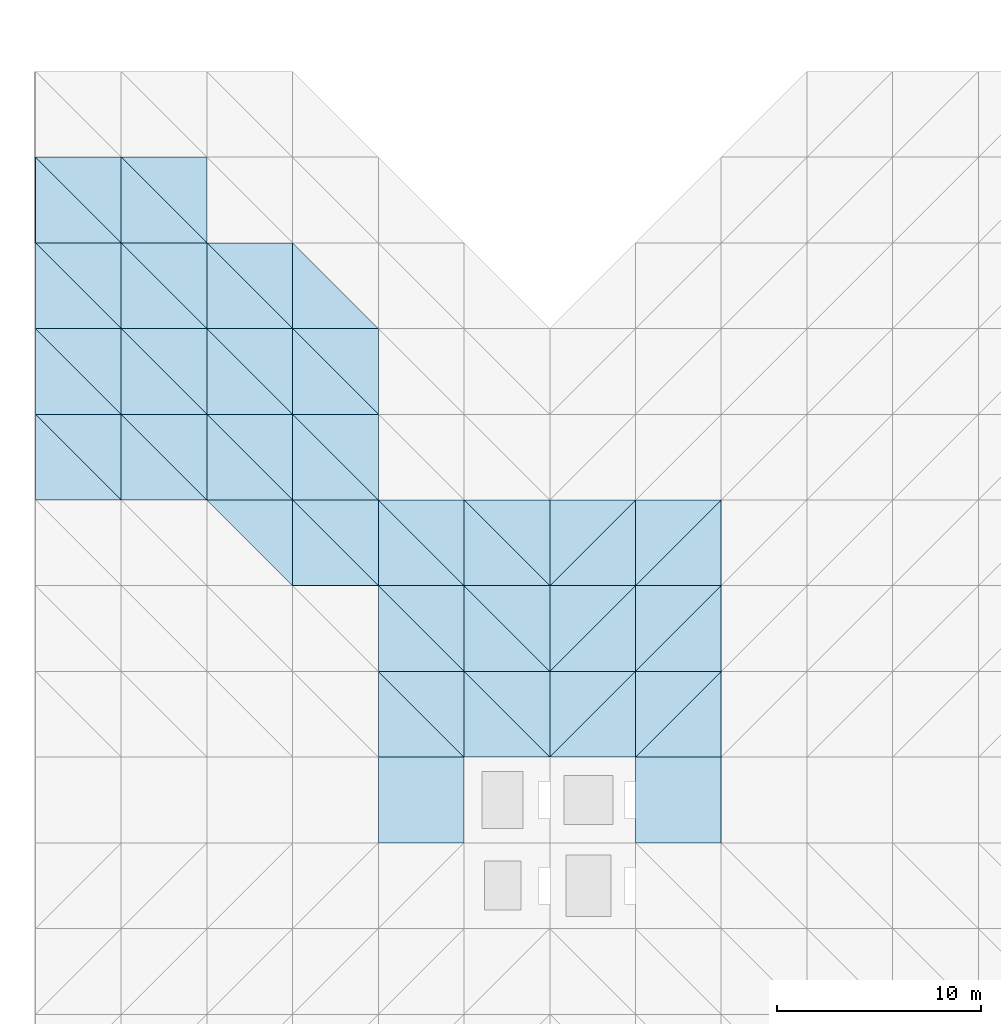
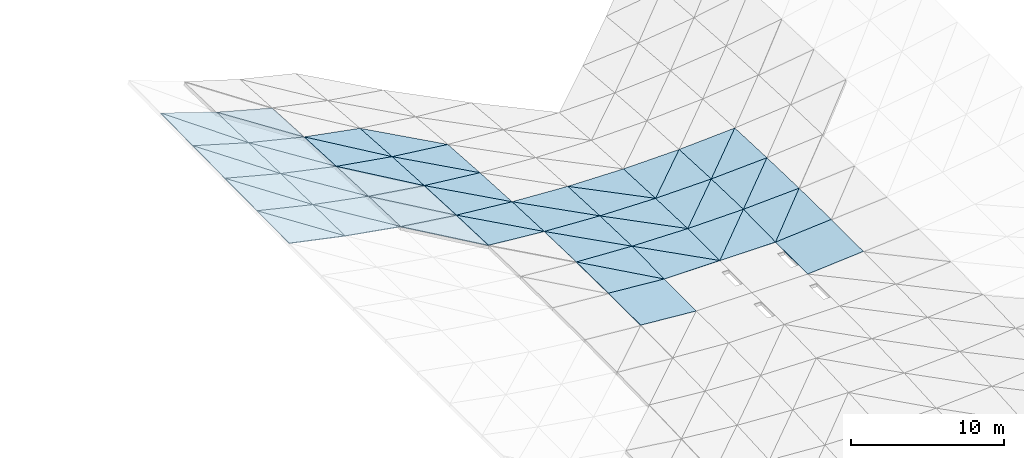
# One storey, part 22 of 31: 56 roofs.
"""IFC4 building model written with IfcOpenShell, lengths in metres."""

import ifcopenshell
import ifcopenshell.guid

model = None  # the IFC model being written
_history = None  # IfcOwnerHistory: only IFC2X3 demands one
_inside = {}  # id of a spatial element -> (the spatial element, [elements in it])
_under = {}  # id of a project, library or spatial element -> (it, [spatial elements below it])
_declared = {}  # id of a project -> (the project, [libraries it declares])
_typed = {}  # id of a type object -> (the type object, [elements of that type])
_made_of = {}  # id of a material, layer set ... -> (it, [elements and type objects made of it])


def new_model(schema):
    """Start an empty IFC model of exactly this schema.

    Asked for "IFC4X3", IfcOpenShell would pick the latest addendum, in which some entities
    have other attributes; the version numbers below select the first issue.
    IFC2X3 requires an IfcOwnerHistory on every rooted entity: one is made here for all.
    """
    global model, _history
    if schema == "IFC4X3":
        model = ifcopenshell.file(schema_version=(4, 3, 0, 0))
    else:
        model = ifcopenshell.file(schema=schema)
    _inside.clear()
    _under.clear()
    _declared.clear()
    _typed.clear()
    _made_of.clear()
    _history = None
    if model.schema == "IFC2X3":
        org = make("IfcOrganization", Name="unknown")
        user = make(
            "IfcPersonAndOrganization",
            ThePerson=make("IfcPerson", FamilyName="unknown"),
            TheOrganization=org,
        )
        app = make(
            "IfcApplication",
            ApplicationDeveloper=org,
            Version="unknown",
            ApplicationFullName="unknown",
            ApplicationIdentifier="unknown",
        )
        _history = make(
            "IfcOwnerHistory",
            OwningUser=user,
            OwningApplication=app,
            ChangeAction="ADDED",
            CreationDate=0,
        )
    return model


def make(cls, **values):
    """One entity of the class cls with the attributes given. An attribute that is None is left unset."""
    return model.create_entity(
        cls, **{name: value for name, value in values.items() if value is not None}
    )


def rooted(cls, **values):
    """An entity with a GlobalId (a new one), such as an element, a storey or a relation."""
    return make(cls, GlobalId=ifcopenshell.guid.new(), OwnerHistory=_history, **values)


def si_unit(unit_type, name, prefix=None):
    """IfcSIUnit, for example si_unit("LENGTHUNIT", "METRE", prefix="MILLI")."""
    return make("IfcSIUnit", UnitType=unit_type, Prefix=prefix, Name=name)


def assignment(units):
    """IfcUnitAssignment: the units of a project."""
    return None if units is None else make("IfcUnitAssignment", Units=units)


def point(xyz):
    """IfcCartesianPoint."""
    return None if xyz is None else make("IfcCartesianPoint", Coordinates=xyz)


def direction(xyz):
    """IfcDirection."""
    return None if xyz is None else make("IfcDirection", DirectionRatios=xyz)


def frame(location, z_axis=None, x_axis=None):
    """IfcAxis2Placement3D, a coordinate frame: its origin and axes. An axis left out is left unset."""
    return make(
        "IfcAxis2Placement3D",
        Location=point(location),
        Axis=direction(z_axis),
        RefDirection=direction(x_axis),
    )


def origin():
    """The frame at (0, 0, 0) with its axes left unset."""
    return frame((0.0, 0.0, 0.0))


def place(relative_to, where):
    """IfcLocalPlacement: puts the frame where relative to a parent placement (None: the world)."""
    return make(
        "IfcLocalPlacement", PlacementRelTo=relative_to, RelativePlacement=where
    )


def context(
    kind, dimensions, precision=None, world=None, true_north=None, identifier=None
):
    """IfcGeometricRepresentationContext, for example the 3D "Model" context."""
    return make(
        "IfcGeometricRepresentationContext",
        ContextIdentifier=identifier,
        ContextType=kind,
        CoordinateSpaceDimension=dimensions,
        Precision=precision,
        WorldCoordinateSystem=world,
        TrueNorth=true_north,
    )


def subcontext(parent, identifier, kind, view, scale=None):
    """IfcGeometricRepresentationSubContext, for example "Body" below "Model"."""
    return make(
        "IfcGeometricRepresentationSubContext",
        ContextIdentifier=identifier,
        ContextType=kind,
        ParentContext=parent,
        TargetScale=scale,
        TargetView=view,
    )


def project(units=None, contexts=None):
    """IfcProject with its units and contexts."""
    return rooted(
        "IfcProject",
        Name="project",
        RepresentationContexts=contexts,
        UnitsInContext=assignment(units),
    )


def spatial(cls, under=None, at=None, **own):
    """A site, building, storey or space (cls), placed at a placement, below another one or the project."""
    s = rooted(cls, ObjectPlacement=at, **own)
    if under is not None:
        _under.setdefault(under.id(), (under, []))[1].append(s)
    return s


def polyline(points):
    """IfcPolyline through the points."""
    return make("IfcPolyline", Points=[point(p) for p in points])


def outline(outer, holes=None, kind="AREA"):
    """IfcArbitraryClosedProfileDef: a profile drawn as a closed curve; with holes, ...WithVoids."""
    if holes is None:
        return make("IfcArbitraryClosedProfileDef", ProfileType=kind, OuterCurve=outer)
    return make(
        "IfcArbitraryProfileDefWithVoids",
        ProfileType=kind,
        OuterCurve=outer,
        InnerCurves=holes,
    )


def extrude(swept, where, along, depth):
    """IfcExtrudedAreaSolid: the profile swept, set in the frame where, extruded along a direction by depth."""
    return make(
        "IfcExtrudedAreaSolid",
        SweptArea=swept,
        Position=where,
        ExtrudedDirection=direction(along),
        Depth=depth,
    )


def shape(context_of_items, identifier, shape_type, items):
    """IfcShapeRepresentation: the items that make up one representation, for example the "Body"."""
    return make(
        "IfcShapeRepresentation",
        ContextOfItems=context_of_items,
        RepresentationIdentifier=identifier,
        RepresentationType=shape_type,
        Items=items,
    )


def material(Name=None, Category=None):
    """IfcMaterial."""
    return make("IfcMaterial", Name=Name, Category=Category)


def layer(
    of_material, thickness, ventilated=None, Name=None, Category=None, Priority=None
):
    """IfcMaterialLayer: one layer of a wall or slab, of a material (None: an air gap)."""
    return make(
        "IfcMaterialLayer",
        Material=of_material,
        LayerThickness=thickness,
        IsVentilated=ventilated,
        Name=Name,
        Category=Category,
        Priority=Priority,
    )


def layer_set(layers, Name=None):
    """IfcMaterialLayerSet."""
    return make("IfcMaterialLayerSet", MaterialLayers=layers, LayerSetName=Name)


def made_of(thing, what):
    """Note that an element or type object is made of a material, layer set ...; save() writes the relation."""
    if what is not None:
        _made_of.setdefault(what.id(), (what, []))[1].append(thing)
    return thing


def type_object(cls, material=None, **own):
    """A type object (cls), such as IfcWallType, which elements share."""
    return made_of(rooted(cls, **own), material)


def element(
    cls,
    number,
    at=None,
    inside=None,
    cuts=None,
    type_object=None,
    material=None,
    context=None,
    identifier="Body",
    shape_type=None,
    held_by="IfcProductDefinitionShape",
    body=None,
    shapes=None,
    **own,
):
    """One element of the class cls, such as IfcWall. Its Tag is "e" and its number.

    at: its placement. inside: the storey or other place that contains it. cuts: it is an
    opening in that element (IfcRelVoidsElement). A single representation is given by context,
    identifier, shape_type and body (its items); several are given by shapes. held_by: the class
    of the entity that holds the representations. save() writes the other relations.
    """
    e = rooted(cls, Tag="e%d" % number, ObjectPlacement=at, **own)
    if body is not None:
        shapes = [shape(context, identifier, shape_type, body)]
    if shapes is not None:
        e.Representation = make(held_by, Representations=shapes)
    if inside is not None:
        _inside.setdefault(inside.id(), (inside, []))[1].append(e)
    if cuts is not None:
        rooted(
            "IfcRelVoidsElement", RelatingBuildingElement=cuts, RelatedOpeningElement=e
        )
    if type_object is not None:
        _typed.setdefault(type_object.id(), (type_object, []))[1].append(e)
    return made_of(e, material)


def aggregate(whole, parts):
    """IfcRelAggregates: a whole, such as a stair, and the parts it consists of."""
    return rooted("IfcRelAggregates", RelatingObject=whole, RelatedObjects=parts)


def save(model, path):
    """Write the relations noted so far, then the file.

    IfcRelAggregates (storeys below a building ...), IfcRelContainedInSpatialStructure (elements
    in a storey), IfcRelDefinesByType, IfcRelAssociatesMaterial and IfcRelDeclares: one each for
    every whole, place, type object, material and project.
    """
    for whole, parts in _under.values():
        aggregate(whole, parts)
    for where, things in _inside.values():
        rooted(
            "IfcRelContainedInSpatialStructure",
            RelatedElements=things,
            RelatingStructure=where,
        )
    for kind, things in _typed.values():
        rooted("IfcRelDefinesByType", RelatedObjects=things, RelatingType=kind)
    for what, things in _made_of.values():
        rooted("IfcRelAssociatesMaterial", RelatedObjects=things, RelatingMaterial=what)
    for by, libraries in _declared.values():
        rooted("IfcRelDeclares", RelatingContext=by, RelatedDefinitions=libraries)
    model.write(path)


model = new_model("IFC4")

# Units and contexts
model_context = context("Model", 3, precision=1e-05, world=origin(), true_north=direction((0.0, 1.0)))
body_context = subcontext(model_context, "Body", "Model", "MODEL_VIEW")
ifc_project = project(units=[si_unit("LENGTHUNIT", "METRE"), si_unit("AREAUNIT", "SQUARE_METRE"), si_unit("VOLUMEUNIT", "CUBIC_METRE"), si_unit("PLANEANGLEUNIT", "RADIAN"), si_unit("MASSUNIT", "GRAM", prefix="KILO")], contexts=[model_context])

# Site, building, storey
site_placement = place(None, origin())
site = spatial("IfcSite", under=ifc_project, at=site_placement, CompositionType="ELEMENT")
building_placement = place(site_placement, origin())
building = spatial("IfcBuilding", under=site, at=building_placement, Name="Cumbredor Promenade Congress Hotel", CompositionType="ELEMENT")
storey_placement = place(building_placement, frame((0.0, 0.0, 31.919921875)))
storey = spatial("IfcBuildingStorey", under=building, at=storey_placement, Name="L09", CompositionType="ELEMENT", Elevation=31.919921875)

# Roofs
ifc_material = material(Name="Standing-seam zinc-aluminium roofing", Category="aluminium")
ifc_layer = layer(ifc_material, 0.050048828125, Name="Standing-seam zinc-aluminium roofing", Category="aluminium")
ifc_layer_set = layer_set([ifc_layer], Name="Standing-seam zinc-aluminium roofing")
roof_type = type_object("IfcRoofType", Name="Sweeping Pavilion Standing-Seam Roof Skin 50mm", PredefinedType="FREEFORM", material=ifc_layer_set)
roof_1_placement = place(storey_placement, frame((8.39990234375, 50.39990234375, 3.627197265625), z_axis=(0.206663012315, -0.008018570373, 0.978379324122), x_axis=(0.978410779297, 0.0, -0.20666965659)))
element("IfcRoof", 1, at=roof_1_placement, inside=storey, type_object=roof_type, Name="Plenary Congress Hall Standing-Seam Roof Skin 4.13.1", PredefinedType="FREEFORM", context=body_context, shape_type="SweptSolid", body=[
    extrude(outline(polyline([(0.0, 0.0), (4.29287514137628, 8.673617379884035e-19), (-0.00711436073709103, 4.2003303499797555), (0.0, 0.0)])), origin(), (0.0, 0.0, -1.0), 0.050048828125),
])
roof_2_placement = place(storey_placement, frame((12.60009765625, 50.39990234375, 2.739990234375), z_axis=(0.22698046669, 0.013301847799, 0.973808466068), x_axis=(0.0, 0.999906720525, -0.013658339882)))
element("IfcRoof", 2, at=roof_2_placement, inside=storey, type_object=roof_type, Name="Plenary Congress Hall Standing-Seam Roof Skin 4.13.2", PredefinedType="FREEFORM", context=body_context, shape_type="SweptSolid", body=[
    extrude(outline(polyline([(0.0, 0.0), (4.200587141061913, -1.734723475976807e-18), (4.187215572964913, 4.312761355879358), (0.0, 0.0)])), origin(), (0.0, 0.0, -1.0), 0.050048828125),
])
roof_3_placement = place(storey_placement, frame((8.39990234375, 54.60009765625, 3.66162109375), z_axis=(0.226989154907, -0.010019804461, 0.973845740902), x_axis=(0.973894629926, 0.0, -0.227000550221)))
element("IfcRoof", 3, at=roof_3_placement, inside=storey, type_object=roof_type, Name="Plenary Congress Hall Standing-Seam Roof Skin 4.14.1", PredefinedType="FREEFORM", context=body_context, shape_type="SweptSolid", body=[
    extrude(outline(polyline([(0.0, 0.0), (4.312782084872795, 0.0), (-0.009809349948520946, 4.200162017911208), (0.0, 0.0)])), origin(), (0.0, 0.0, -1.0), 0.050048828125),
])
roof_4_placement = place(storey_placement, frame((12.60009765625, 54.60009765625, 2.6826171875), z_axis=(0.251966322063, 0.01648000532, 0.967595670707), x_axis=(0.0, 0.999854988518, -0.017029443215)))
element("IfcRoof", 4, at=roof_4_placement, inside=storey, type_object=roof_type, Name="Plenary Congress Hall Standing-Seam Roof Skin 4.14.2", PredefinedType="FREEFORM", context=body_context, shape_type="SweptSolid", body=[
    extrude(outline(polyline([(0.0, 0.0), (4.200560301350703, -3.469446951953614e-18), (4.181934347833786, 4.340228427111016), (0.0, 0.0)])), origin(), (0.0, 0.0, -1.0), 0.050048828125),
])
roof_5_placement = place(storey_placement, frame((8.39990234375, 58.800048828125, 3.704833984375), z_axis=(0.251982626676, -0.011924871015, 0.967658283334), x_axis=(0.96772709241, 0.0, -0.252000544873)))
element("IfcRoof", 5, at=roof_5_placement, inside=storey, type_object=roof_type, Name="Plenary Congress Hall Standing-Seam Roof Skin 4.15.1", PredefinedType="FREEFORM", context=body_context, shape_type="SweptSolid", body=[
    extrude(outline(polyline([(0.0, 0.0), (4.340268393273275, -1.734723475976807e-18), (-0.01304299695143546, 4.200249825607936), (0.0, 0.0)])), origin(), (0.0, 0.0, -1.0), 0.050048828125),
])
roof_6_placement = place(storey_placement, frame((12.60009765625, 58.800048828125, 2.611083984375), z_axis=(0.281290607188, 0.019631254832, 0.95942180929), x_axis=(0.0, 0.999790728249, -0.020457265381)))
element("IfcRoof", 6, at=roof_6_placement, inside=storey, type_object=roof_type, Name="Plenary Congress Hall Standing-Seam Roof Skin 4.15.2", PredefinedType="FREEFORM", context=body_context, shape_type="SweptSolid", body=[
    extrude(outline(polyline([(0.0, 0.0), (4.200830286983805, 0.0), (4.175638283424205, 4.3769239865208815), (0.0, 0.0)])), origin(), (0.0, 0.0, -1.0), 0.050048828125),
])
roof_7_placement = place(storey_placement, frame((8.39990234375, 63.0, 3.756591796875), z_axis=(0.281318125125, -0.013776688355, 0.95951566706), x_axis=(0.95960673669, 0.0, -0.281344825614)))
element("IfcRoof", 7, at=roof_7_placement, inside=storey, type_object=roof_type, Name="Plenary Congress Hall Standing-Seam Roof Skin 4.16.1", PredefinedType="FREEFORM", context=body_context, shape_type="SweptSolid", body=[
    extrude(outline(polyline([(0.0, 0.0), (4.3769964839859306, 0.0), (-0.016965862286780188, 4.200349797983991), (0.0, 0.0)])), origin(), (0.0, 0.0, -1.0), 0.050048828125),
])
roof_8_placement = place(storey_placement, frame((12.60009765625, 63.0, 2.525146484375), z_axis=(0.314524303969, 0.02267222085, 0.948978626005), x_axis=(0.0, 0.999714727834, -0.023884366281)))
element("IfcRoof", 8, at=roof_8_placement, inside=storey, type_object=roof_type, Name="Plenary Congress Hall Standing-Seam Roof Skin 4.16.2", PredefinedType="FREEFORM", context=body_context, shape_type="SweptSolid", body=[
    extrude(outline(polyline([(0.0, 0.0), (4.201149642935168, 6.938893903907228e-18), (4.1679004592103714, 4.424754150006587), (0.0, 0.0)])), origin(), (0.0, 0.0, -1.0), 0.050048828125),
])
roof_9_placement = place(storey_placement, frame((12.60009765625, 50.39990234375, 2.739990234375), z_axis=(0.170334561544, 0.01345874084, 0.985294371971), x_axis=(0.985383621077, 0.0, -0.170349990646)))
element("IfcRoof", 9, at=roof_9_placement, inside=storey, type_object=roof_type, Name="Plenary Congress Hall Standing-Seam Roof Skin 5.13.1", PredefinedType="FREEFORM", context=body_context, shape_type="SweptSolid", body=[
    extrude(outline(polyline([(0.0, 0.0), (4.262249830461327, -1.734723475976807e-18), (0.009773497998488744, 4.200575771057055), (0.0, 0.0)])), origin(), (0.0, 0.0, -1.0), 0.050048828125),
])
roof_10_placement = place(storey_placement, frame((16.800048828125, 50.39990234375, 2.013916015625), z_axis=(0.18725598134, 0.030931680133, 0.981824031391), x_axis=(0.0, 0.999504108605, -0.031488678613)))
element("IfcRoof", 10, at=roof_10_placement, inside=storey, type_object=roof_type, Name="Plenary Congress Hall Standing-Seam Roof Skin 5.13.2", PredefinedType="FREEFORM", context=body_context, shape_type="SweptSolid", body=[
    extrude(outline(polyline([(0.0, 0.0), (4.202279186586105, 6.938893903907228e-18), (4.1770559554995765, 4.275581283424942), (0.0, 0.0)])), origin(), (0.0, 0.0, -1.0), 0.050048828125),
])
roof_11_placement = place(storey_placement, frame((12.60009765625, 54.60009765625, 2.6826171875), z_axis=(0.187319412076, 0.016728006016, 0.9821566126), x_axis=(0.982294058016, 0.0, -0.187345626016)))
element("IfcRoof", 11, at=roof_11_placement, inside=storey, type_object=roof_type, Name="Plenary Congress Hall Standing-Seam Roof Skin 5.14.1", PredefinedType="FREEFORM", context=body_context, shape_type="SweptSolid", body=[
    extrude(outline(polyline([(0.0, 0.0), (4.275655683349646, 0.0), (0.013401432720365957, 4.2005389233864445), (0.0, 0.0)])), origin(), (0.0, 0.0, -1.0), 0.050048828125),
])
roof_12_placement = place(storey_placement, frame((16.800048828125, 54.60009765625, 1.881591796875), z_axis=(0.208267739017, 0.038517601488, 0.97731312447), x_axis=(0.0, 0.999224261339, -0.039381157309)))
element("IfcRoof", 12, at=roof_12_placement, inside=storey, type_object=roof_type, Name="Plenary Congress Hall Standing-Seam Roof Skin 5.14.2", PredefinedType="FREEFORM", context=body_context, shape_type="SweptSolid", body=[
    extrude(outline(polyline([(0.0, 0.0), (4.203211765740946, 0.0), (4.167964860786095, 4.294113117180806), (0.0, 0.0)])), origin(), (0.0, 0.0, -1.0), 0.050048828125),
])
roof_13_placement = place(storey_placement, frame((12.60009765625, 58.800048828125, 2.611083984375), z_axis=(0.208380681954, 0.020008183319, 0.977843118291), x_axis=(0.978038905774, 0.0, -0.20842240473)))
element("IfcRoof", 13, at=roof_13_placement, inside=storey, type_object=roof_type, Name="Plenary Congress Hall Standing-Seam Roof Skin 5.15.1", PredefinedType="FREEFORM", context=body_context, shape_type="SweptSolid", body=[
    extrude(outline(polyline([(0.0, 0.0), (4.294257771426065, 0.0), (0.01791130040646214, 4.200792102134809), (0.0, 0.0)])), origin(), (0.0, 0.0, -1.0), 0.050048828125),
])
roof_14_placement = place(storey_placement, frame((16.800048828125, 58.800048828125, 1.716064453125), z_axis=(0.233035080293, 0.045906837964, 0.971384174043), x_axis=(0.0, 0.998885151163, -0.047206512114)))
element("IfcRoof", 14, at=roof_14_placement, inside=storey, type_object=roof_type, Name="Plenary Congress Hall Standing-Seam Roof Skin 5.15.2", PredefinedType="FREEFORM", context=body_context, shape_type="SweptSolid", body=[
    extrude(outline(polyline([(0.0, 0.0), (4.204638708448887, 6.938893903907228e-18), (4.157074920486461, 4.318856507343406), (0.0, 0.0)])), origin(), (0.0, 0.0, -1.0), 0.050048828125),
])
roof_15_placement = place(storey_placement, frame((12.60009765625, 63.0, 2.525146484375), z_axis=(0.233218094086, 0.023225741863, 0.972147049322), x_axis=(0.972409360565, 0.0, -0.233281022557)))
element("IfcRoof", 15, at=roof_15_placement, inside=storey, type_object=roof_type, Name="Plenary Congress Hall Standing-Seam Roof Skin 5.16.1", PredefinedType="FREEFORM", context=body_context, shape_type="SweptSolid", body=[
    extrude(outline(polyline([(0.0, 0.0), (4.319118410618978, 0.0), (0.02340783698023095, 4.201084430894267), (0.0, 0.0)])), origin(), (0.0, 0.0, -1.0), 0.050048828125),
])
roof_16_placement = place(storey_placement, frame((16.800048828125, 63.0, 1.517578125), z_axis=(0.261299870241, 0.05311155167, 0.963795383311), x_axis=(0.0, 0.998485077056, -0.055023185087)))
element("IfcRoof", 16, at=roof_16_placement, inside=storey, type_object=roof_type, Name="Plenary Congress Hall Standing-Seam Roof Skin 5.16.2", PredefinedType="FREEFORM", context=body_context, shape_type="SweptSolid", body=[
    extrude(outline(polyline([(0.0, 0.0), (4.206323427746898, 0.0), (4.143670074415601, 4.3511191712439405), (0.0, 0.0)])), origin(), (0.0, 0.0, -1.0), 0.050048828125),
])
roof_17_placement = place(storey_placement, frame((21.0, 46.199951171875, 1.59228515625), z_axis=(0.133178350958, 0.033740818704, 0.990517583887), x_axis=(0.0, 0.999420332288, -0.034044080377)))
element("IfcRoof", 17, at=roof_17_placement, inside=storey, type_object=roof_type, Name="Plenary Congress Hall Standing-Seam Roof Skin 6.12.2", PredefinedType="FREEFORM", context=body_context, shape_type="SweptSolid", body=[
    extrude(outline(polyline([(0.0, 0.0), (4.202387160023631, 0.0), (4.183162560924171, 4.237700232759274), (0.0, 0.0)])), origin(), (0.0, 0.0, -1.0), 0.050048828125),
])
roof_18_placement = place(storey_placement, frame((16.800048828125, 50.39990234375, 2.013916015625), z_axis=(0.133189316593, 0.031208133833, 0.99059914109), x_axis=(0.991081889584, 0.0, -0.133254223717)))
element("IfcRoof", 18, at=roof_18_placement, inside=storey, type_object=roof_type, Name="Plenary Congress Hall Standing-Seam Roof Skin 6.13.1", PredefinedType="FREEFORM", context=body_context, shape_type="SweptSolid", body=[
    extrude(outline(polyline([(0.0, 0.0), (4.23774383934878, 0.0), (0.017632761048523442, 4.202242192895666), (0.0, 0.0)])), origin(), (0.0, 0.0, -1.0), 0.050048828125),
])
roof_19_placement = place(storey_placement, frame((21.0, 50.39990234375, 1.44921875), z_axis=(0.146592652311, 0.044859798853, 0.988179231079), x_axis=(0.0, 0.998971172461, -0.045349714351)))
element("IfcRoof", 19, at=roof_19_placement, inside=storey, type_object=roof_type, Name="Plenary Congress Hall Standing-Seam Roof Skin 6.13.2", PredefinedType="FREEFORM", context=body_context, shape_type="SweptSolid", body=[
    extrude(outline(polyline([(0.0, 0.0), (4.204521039533375, 6.938893903907228e-18), (4.176266041724932, 4.24581899162933), (0.0, 0.0)])), origin(), (0.0, 0.0, -1.0), 0.050048828125),
])
roof_20_placement = place(storey_placement, frame((16.800048828125, 54.60009765625, 1.881591796875), z_axis=(0.146628993095, 0.038955508354, 0.988424203848), x_axis=(0.989175041018, 0.0, -0.14674037695)))
element("IfcRoof", 20, at=roof_20_placement, inside=storey, type_object=roof_type, Name="Plenary Congress Hall Standing-Seam Roof Skin 6.14.1", PredefinedType="FREEFORM", context=body_context, shape_type="SweptSolid", body=[
    extrude(outline(polyline([(0.0, 0.0), (4.245913006007242, 3.469446951953614e-18), (0.024289544817469203, 4.203141582872944), (0.0, 0.0)])), origin(), (0.0, 0.0, -1.0), 0.050048828125),
])
roof_21_placement = place(storey_placement, frame((21.0, 54.60009765625, 1.258544921875), z_axis=(0.163240843778, 0.055940478559, 0.984999030345), x_axis=(0.0, 0.998391201214, -0.056701052351)))
element("IfcRoof", 21, at=roof_21_placement, inside=storey, type_object=roof_type, Name="Plenary Congress Hall Standing-Seam Roof Skin 6.14.2", PredefinedType="FREEFORM", context=body_context, shape_type="SweptSolid", body=[
    extrude(outline(polyline([(0.0, 0.0), (4.206718936190888, 0.0), (4.16725245663732, 4.25705423695703), (0.0, 0.0)])), origin(), (0.0, 0.0, -1.0), 0.050048828125),
])
roof_22_placement = place(storey_placement, frame((16.800048828125, 58.800048828125, 1.716064453125), z_axis=(0.16331945283, 0.046572681568, 0.985473359183), x_axis=(0.986543854023, 0.0, -0.16349686263)))
element("IfcRoof", 22, at=roof_22_placement, inside=storey, type_object=roof_type, Name="Plenary Congress Hall Standing-Seam Roof Skin 6.15.1", PredefinedType="FREEFORM", context=body_context, shape_type="SweptSolid", body=[
    extrude(outline(polyline([(0.0, 0.0), (4.257237176785217, -6.938893903907228e-18), (0.032451891923331144, 4.204513472840506), (0.0, 0.0)])), origin(), (0.0, 0.0, -1.0), 0.050048828125),
])
roof_23_placement = place(storey_placement, frame((21.0, 58.800048828125, 1.02001953125), z_axis=(0.182964986492, 0.066765970453, 0.980849692311), x_axis=(0.0, 0.997691289932, -0.067912369965)))
element("IfcRoof", 23, at=roof_23_placement, inside=storey, type_object=roof_type, Name="Plenary Congress Hall Standing-Seam Roof Skin 6.15.2", PredefinedType="FREEFORM", context=body_context, shape_type="SweptSolid", body=[
    extrude(outline(polyline([(0.0, 0.0), (4.209670079571633, 0.0), (4.15646431902034, 4.272066082259688), (0.0, 0.0)])), origin(), (0.0, 0.0, -1.0), 0.050048828125),
])
roof_24_placement = place(storey_placement, frame((21.0, 46.199951171875, 1.59228515625), z_axis=(0.088192852342, 0.033911424851, 0.995526009736), x_axis=(0.996098923772, 0.0, -0.088243606338)))
element("IfcRoof", 24, at=roof_24_placement, inside=storey, type_object=roof_type, Name="Plenary Congress Hall Standing-Seam Roof Skin 7.12.1", PredefinedType="FREEFORM", context=body_context, shape_type="SweptSolid", body=[
    extrude(outline(polyline([(0.0, 0.0), (4.216399668387478, 0.0), (0.012624695633288259, 4.2023681965995845), (0.0, 0.0)])), origin(), (0.0, 0.0, -1.0), 0.050048828125),
])
roof_25_placement = place(storey_placement, frame((25.199951171875, 46.199951171875, 1.22021484375), z_axis=(0.095508545961, 0.041279117322, 0.994572346349), x_axis=(0.0, 0.999139804036, -0.041468686862)))
element("IfcRoof", 25, at=roof_25_placement, inside=storey, type_object=roof_type, Name="Plenary Congress Hall Standing-Seam Roof Skin 7.12.2", PredefinedType="FREEFORM", context=body_context, shape_type="SweptSolid", body=[
    extrude(outline(polyline([(0.0, 0.0), (4.203567063295423, 3.469446951953614e-18), (4.186841899551393, 4.219238958569072), (0.0, 0.0)])), origin(), (0.0, 0.0, -1.0), 0.050048828125),
])
roof_26_placement = place(storey_placement, frame((21.0, 50.39990234375, 1.44921875), z_axis=(0.095492573343, 0.045142472615, 0.994406016475), x_axis=(0.995420789287, 0.0, -0.095590021735)))
element("IfcRoof", 26, at=roof_26_placement, inside=storey, type_object=roof_type, Name="Plenary Congress Hall Standing-Seam Roof Skin 7.13.1", PredefinedType="FREEFORM", context=body_context, shape_type="SweptSolid", body=[
    extrude(outline(polyline([(0.0, 0.0), (4.219272107912606, 0.0), (0.01822651537470813, 4.204481533556321), (0.0, 0.0)])), origin(), (0.0, 0.0, -1.0), 0.050048828125),
])
roof_27_placement = place(storey_placement, frame((25.199951171875, 50.39990234375, 1.0458984375), z_axis=(0.105220665991, 0.054944734798, 0.992929850275), x_axis=(0.0, 0.998472472454, -0.055251441163)))
element("IfcRoof", 27, at=roof_27_placement, inside=storey, type_object=roof_type, Name="Plenary Congress Hall Standing-Seam Roof Skin 7.13.2", PredefinedType="FREEFORM", context=body_context, shape_type="SweptSolid", body=[
    extrude(outline(polyline([(0.0, 0.0), (4.206621042015253, -3.469446951953614e-18), (4.1820303737435145, 4.22339567051027), (0.0, 0.0)])), origin(), (0.0, 0.0, -1.0), 0.050048828125),
])
roof_28_placement = place(storey_placement, frame((21.0, 54.60009765625, 1.258544921875), z_axis=(0.105212196304, 0.056386349857, 0.992849924862), x_axis=(0.994432042203, 0.0, -0.105379853103)))
element("IfcRoof", 28, at=roof_28_placement, inside=storey, type_object=roof_type, Name="Plenary Congress Hall Standing-Seam Roof Skin 7.14.1", PredefinedType="FREEFORM", context=body_context, shape_type="SweptSolid", body=[
    extrude(outline(polyline([(0.0, 0.0), (4.223467259332188, -3.469446951953614e-18), (0.025135770625468457, 4.2066438405386855), (0.0, 0.0)])), origin(), (0.0, 0.0, -1.0), 0.050048828125),
])
roof_29_placement = place(storey_placement, frame((25.199951171875, 54.60009765625, 0.8134765625), z_axis=(0.117254845515, 0.068533038391, 0.990734335658), x_axis=(0.0, 0.997616032288, -0.069009072744)))
element("IfcRoof", 29, at=roof_29_placement, inside=storey, type_object=roof_type, Name="Plenary Congress Hall Standing-Seam Roof Skin 7.14.2", PredefinedType="FREEFORM", context=body_context, shape_type="SweptSolid", body=[
    extrude(outline(polyline([(0.0, 0.0), (4.209987646490263, 0.0), (4.17568528513583, 4.2291242698351335), (0.0, 0.0)])), origin(), (0.0, 0.0, -1.0), 0.050048828125),
])
roof_30_placement = place(storey_placement, frame((21.0, 58.800048828125, 1.02001953125), z_axis=(0.117263569299, 0.067443830869, 0.990808046492), x_axis=(0.993069192908, 0.0, -0.117531179257)))
element("IfcRoof", 30, at=roof_30_placement, inside=storey, type_object=roof_type, Name="Plenary Congress Hall Standing-Seam Roof Skin 7.15.1", PredefinedType="FREEFORM", context=body_context, shape_type="SweptSolid", body=[
    extrude(outline(polyline([(0.0, 0.0), (4.229263380507655, -6.938893903907228e-18), (0.03360083274171934, 4.209535979520748), (0.0, 0.0)])), origin(), (0.0, 0.0, -1.0), 0.050048828125),
])
roof_31_placement = place(storey_placement, frame((25.199951171875, 33.60009765625, 1.394287109375), z_axis=(0.080422258173, 0.0, 0.99676088426), x_axis=(0.99676088426, 0.0, -0.080422258173)))
element("IfcRoof", 31, at=roof_31_placement, inside=storey, type_object=roof_type, Name="Plenary Congress Hall Standing-Seam Roof Skin 8.9", PredefinedType="FREEFORM", context=body_context, shape_type="SweptSolid", body=[
    extrude(outline(polyline([(0.0, 0.0), (4.213599508365544, 0.0), (4.213599508365544, 4.199951171874999), (0.0, 4.199951171874999), (0.0, 0.0)])), origin(), (0.0, 0.0, -1.0), 0.050048828125),
])
roof_32_placement = place(storey_placement, frame((25.199951171875, 37.800048828125, 1.394287109375), z_axis=(0.080414612568, 0.01378867276, 0.99666612393), x_axis=(0.99676088426, 0.0, -0.080422258173)))
element("IfcRoof", 32, at=roof_32_placement, inside=storey, type_object=roof_type, Name="Plenary Congress Hall Standing-Seam Roof Skin 8.10.1", PredefinedType="FREEFORM", context=body_context, shape_type="SweptSolid", body=[
    extrude(outline(polyline([(0.0, 0.0), (4.213599508365544, 0.0), (0.004672973009083963, 4.200350491918038), (0.0, 0.0)])), origin(), (0.0, 0.0, -1.0), 0.050048828125),
])
roof_33_placement = place(storey_placement, frame((29.39990234375, 37.800048828125, 1.055419921875), z_axis=(0.05009571084, -0.016659871392, 0.998605461852), x_axis=(0.0, 0.999860865519, 0.016680815463)))
element("IfcRoof", 33, at=roof_33_placement, inside=storey, type_object=roof_type, Name="Plenary Congress Hall Standing-Seam Roof Skin 8.10.2", PredefinedType="FREEFORM", context=body_context, shape_type="SweptSolid", body=[
    extrude(outline(polyline([(0.0, 0.0), (4.2005356112190855, -4.336808689942018e-19), (4.204050148266024, 4.205231169133066), (0.0, 0.0)])), origin(), (0.0, 0.0, -1.0), 0.050048828125),
])
roof_34_placement = place(storey_placement, frame((25.199951171875, 42.0, 1.336181640625), z_axis=(0.050083624198, 0.027566305323, 0.998364527314), x_axis=(0.998744072836, 0.0, -0.050102664353)))
element("IfcRoof", 34, at=roof_34_placement, inside=storey, type_object=roof_type, Name="Plenary Congress Hall Standing-Seam Roof Skin 8.11.1", PredefinedType="FREEFORM", context=body_context, shape_type="SweptSolid", body=[
    extrude(outline(polyline([(0.0, 0.0), (4.205232637776287, -8.673617379884035e-19), (0.005810245499871399, 4.201547855869175), (0.0, 0.0)])), origin(), (0.0, 0.0, -1.0), 0.050048828125),
])
roof_35_placement = place(storey_placement, frame((29.39990234375, 42.0, 1.12548828125), z_axis=(0.053088487029, 0.03057664772, 0.998121576342), x_axis=(0.0, 0.999531103152, -0.030619827435)))
element("IfcRoof", 35, at=roof_35_placement, inside=storey, type_object=roof_type, Name="Plenary Congress Hall Standing-Seam Roof Skin 8.11.2", PredefinedType="FREEFORM", context=body_context, shape_type="SweptSolid", body=[
    extrude(outline(polyline([(0.0, 0.0), (4.201921439594392, -8.673617379884035e-19), (4.195081317010689, 4.205882256742252), (0.0, 0.0)])), origin(), (0.0, 0.0, -1.0), 0.050048828125),
])
roof_36_placement = place(storey_placement, frame((25.199951171875, 46.199951171875, 1.22021484375), z_axis=(0.053067762346, 0.041410253896, 0.997731929664), x_axis=(0.998588491362, 0.0, -0.05311332149)))
element("IfcRoof", 36, at=roof_36_placement, inside=storey, type_object=roof_type, Name="Plenary Congress Hall Standing-Seam Roof Skin 8.12.1", PredefinedType="FREEFORM", context=body_context, shape_type="SweptSolid", body=[
    extrude(outline(polyline([(0.0, 0.0), (4.205887818862536, 0.0), (0.009258523326174137, 4.203556867150476), (0.0, 0.0)])), origin(), (0.0, 0.0, -1.0), 0.050048828125),
])
roof_37_placement = place(storey_placement, frame((29.39990234375, 46.199951171875, 0.996826171875), z_axis=(0.057508168834, 0.045855808012, 0.997291359327), x_axis=(0.0, 0.998944576834, -0.045931823535)))
element("IfcRoof", 37, at=roof_37_placement, inside=storey, type_object=roof_type, Name="Plenary Congress Hall Standing-Seam Roof Skin 8.12.2", PredefinedType="FREEFORM", context=body_context, shape_type="SweptSolid", body=[
    extrude(outline(polyline([(0.0, 0.0), (4.204388580980818, 0.0), (4.193264467468388, 4.20691346302595), (0.0, 0.0)])), origin(), (0.0, 0.0, -1.0), 0.050048828125),
])
roof_38_placement = place(storey_placement, frame((29.39990234375, 37.800048828125, 1.055419921875), z_axis=(0.0, -0.016680815463, 0.999860865519), x_axis=(1.0, 0.0, 0.0)))
element("IfcRoof", 38, at=roof_38_placement, inside=storey, type_object=roof_type, Name="Plenary Congress Hall Standing-Seam Roof Skin 9.10.1", PredefinedType="FREEFORM", context=body_context, shape_type="SweptSolid", body=[
    extrude(outline(polyline([(0.0, 0.0), (4.2001953125, 0.0), (0.0, 4.2005356112190855), (0.0, 0.0)])), origin(), (0.0, 0.0, -1.0), 0.050048828125),
])
roof_39_placement = place(storey_placement, frame((33.60009765625, 37.800048828125, 1.055419921875), z_axis=(0.016679846143, 0.0, 0.999860881689), x_axis=(0.0, 1.0, 0.0)))
element("IfcRoof", 39, at=roof_39_placement, inside=storey, type_object=roof_type, Name="Plenary Congress Hall Standing-Seam Roof Skin 9.10.2", PredefinedType="FREEFORM", context=body_context, shape_type="SweptSolid", body=[
    extrude(outline(polyline([(0.0, 0.0), (4.199951171875, 0.0), (4.199951171875, 4.20077971787768), (0.0, 0.0)])), origin(), (0.0, 0.0, -1.0), 0.050048828125),
])
roof_40_placement = place(storey_placement, frame((29.39990234375, 42.0, 1.12548828125), z_axis=(0.01667202719, 0.030615571649, 0.999392180419), x_axis=(0.999860881689, 0.0, -0.016679846143)))
element("IfcRoof", 40, at=roof_40_placement, inside=storey, type_object=roof_type, Name="Plenary Congress Hall Standing-Seam Roof Skin 9.11.1", PredefinedType="FREEFORM", context=body_context, shape_type="SweptSolid", body=[
    extrude(outline(polyline([(0.0, 0.0), (4.20077971787768, -4.336808689942018e-19), (0.002146064188813903, 4.201920891560372), (0.0, 0.0)])), origin(), (0.0, 0.0, -1.0), 0.050048828125),
])
roof_41_placement = place(storey_placement, frame((33.60009765625, 42.0, 1.055419921875), z_axis=(0.017716764162, 0.031659664737, 0.999341674252), x_axis=(0.0, 0.999498549731, -0.031664634634)))
element("IfcRoof", 41, at=roof_41_placement, inside=storey, type_object=roof_type, Name="Plenary Congress Hall Standing-Seam Roof Skin 9.11.2", PredefinedType="FREEFORM", context=body_context, shape_type="SweptSolid", body=[
    extrude(outline(polyline([(0.0, 0.0), (4.202058295139252, 4.336808689942018e-19), (4.1997004549138435, 4.200854654212243), (0.0, 0.0)])), origin(), (0.0, 0.0, -1.0), 0.050048828125),
])
roof_42_placement = place(storey_placement, frame((29.39990234375, 46.199951171875, 0.996826171875), z_axis=(0.017706947711, 0.045924622331, 0.998787962015), x_axis=(0.999842888326, 0.0, -0.017725649903)))
element("IfcRoof", 42, at=roof_42_placement, inside=storey, type_object=roof_type, Name="Plenary Congress Hall Standing-Seam Roof Skin 9.12.1", PredefinedType="FREEFORM", context=body_context, shape_type="SweptSolid", body=[
    extrude(outline(polyline([(0.0, 0.0), (4.20085531591213, 0.0), (0.0034230930355582975, 4.204387187488322), (0.0, 0.0)])), origin(), (0.0, 0.0, -1.0), 0.050048828125),
])
roof_43_placement = place(storey_placement, frame((33.60009765625, 46.199951171875, 0.92236328125), z_axis=(0.019156527337, 0.047371621121, 0.998693625179), x_axis=(0.0, 0.998876922197, -0.047380315556)))
element("IfcRoof", 43, at=roof_43_placement, inside=storey, type_object=roof_type, Name="Plenary Congress Hall Standing-Seam Roof Skin 9.12.2", PredefinedType="FREEFORM", context=body_context, shape_type="SweptSolid", body=[
    extrude(outline(polyline([(0.0, 0.0), (4.204673347179987, 0.0), (4.200856085428635, 4.200966202848547), (0.0, 0.0)])), origin(), (0.0, 0.0, -1.0), 0.050048828125),
])
roof_44_placement = place(storey_placement, frame((33.60009765625, 37.800048828125, 1.055419921875), z_axis=(0.0, -0.016680815463, 0.999860865519), x_axis=(1.0, 0.0, 0.0)))
element("IfcRoof", 44, at=roof_44_placement, inside=storey, type_object=roof_type, Name="Plenary Congress Hall Standing-Seam Roof Skin 10.10.1", PredefinedType="FREEFORM", context=body_context, shape_type="SweptSolid", body=[
    extrude(outline(polyline([(0.0, 0.0), (4.199951171875, 0.0), (4.199951171875, 4.2005356112190855), (0.0, 0.0)])), origin(), (0.0, 0.0, -1.0), 0.050048828125),
])
roof_45_placement = place(storey_placement, frame((33.60009765625, 37.800048828125, 1.055419921875), z_axis=(-0.016680815463, 0.0, 0.999860865519), x_axis=(0.707057584585, 0.707057584585, 0.011795938312)))
element("IfcRoof", 45, at=roof_45_placement, inside=storey, type_object=roof_type, Name="Plenary Congress Hall Standing-Seam Roof Skin 10.10.2", PredefinedType="FREEFORM", context=body_context, shape_type="SweptSolid", body=[
    extrude(outline(polyline([(0.0, 0.0), (5.940041183969508, 2.419939248987646e-16), (2.9696073309623596, 2.9700205632333248), (0.0, 0.0)])), origin(), (0.0, 0.0, -1.0), 0.050048828125),
])
roof_46_placement = place(storey_placement, frame((33.60009765625, 42.0, 1.055419921875), z_axis=(-0.016672996056, 0.030615571154, 0.999392164271), x_axis=(0.999860865519, 0.0, 0.016680815463)))
element("IfcRoof", 46, at=roof_46_placement, inside=storey, type_object=roof_type, Name="Plenary Congress Hall Standing-Seam Roof Skin 10.11.1", PredefinedType="FREEFORM", context=body_context, shape_type="SweptSolid", body=[
    extrude(outline(polyline([(0.0, 0.0), (4.2005356112190855, 0.0), (4.198389422315566, 4.201920891496674), (0.0, 0.0)])), origin(), (0.0, 0.0, -1.0), 0.050048828125),
])
roof_47_placement = place(storey_placement, frame((33.60009765625, 42.0, 1.055419921875), z_axis=(-0.017717793704, 0.031659664159, 0.999341656017), x_axis=(0.707072377307, 0.707072377307, -0.009864405659)))
element("IfcRoof", 47, at=roof_47_placement, inside=storey, type_object=roof_type, Name="Plenary Congress Hall Standing-Seam Roof Skin 10.11.2", PredefinedType="FREEFORM", context=body_context, shape_type="SweptSolid", body=[
    extrude(outline(polyline([(0.0, 0.0), (5.939916911860588, -5.074066167232161e-17), (2.9709819843495135, 2.9716258116423786), (0.0, 0.0)])), origin(), (0.0, 0.0, -1.0), 0.050048828125),
])
roof_48_placement = place(storey_placement, frame((33.60009765625, 46.199951171875, 0.92236328125), z_axis=(-0.017707976682, 0.045924621494, 0.998787943811), x_axis=(0.999842870064, 0.0, 0.017726679961)))
element("IfcRoof", 48, at=roof_48_placement, inside=storey, type_object=roof_type, Name="Plenary Congress Hall Standing-Seam Roof Skin 10.12.1", PredefinedType="FREEFORM", context=body_context, shape_type="SweptSolid", body=[
    extrude(outline(polyline([(0.0, 0.0), (4.2006112136467015, -4.336808689942018e-19), (4.197187921691338, 4.204387187326364), (0.0, 0.0)])), origin(), (0.0, 0.0, -1.0), 0.050048828125),
])
roof_49_placement = place(storey_placement, frame((33.60009765625, 46.199951171875, 0.92236328125), z_axis=(-0.019157640486, 0.047371620111, 0.998693603874), x_axis=(0.706965735693, 0.706965735693, -0.01997240874)))
element("IfcRoof", 49, at=roof_49_placement, inside=storey, type_object=roof_type, Name="Plenary Congress Hall Standing-Seam Roof Skin 10.12.2", PredefinedType="FREEFORM", context=body_context, shape_type="SweptSolid", body=[
    extrude(outline(polyline([(0.0, 0.0), (5.94081291330957, 5.559788740505667e-16), (2.9732004484047314, 2.9731056237698072), (0.0, 0.0)])), origin(), (0.0, 0.0, -1.0), 0.050048828125),
])
roof_50_placement = place(storey_placement, frame((37.800048828125, 33.60009765625, 1.055419921875), z_axis=(-0.080422258173, 0.0, 0.99676088426), x_axis=(0.99676088426, 0.0, 0.080422258173)))
element("IfcRoof", 50, at=roof_50_placement, inside=storey, type_object=roof_type, Name="Plenary Congress Hall Standing-Seam Roof Skin 11.9", PredefinedType="FREEFORM", context=body_context, shape_type="SweptSolid", body=[
    extrude(outline(polyline([(0.0, 0.0), (4.213599508365544, 0.0), (4.213599508365544, 4.199951171874999), (0.0, 4.199951171874999), (0.0, 0.0)])), origin(), (0.0, 0.0, -1.0), 0.050048828125),
])
roof_51_placement = place(storey_placement, frame((37.800048828125, 37.800048828125, 1.055419921875), z_axis=(-0.080414612568, 0.01378867276, 0.99666612393), x_axis=(0.99676088426, 0.0, 0.080422258173)))
element("IfcRoof", 51, at=roof_51_placement, inside=storey, type_object=roof_type, Name="Plenary Congress Hall Standing-Seam Roof Skin 11.10.1", PredefinedType="FREEFORM", context=body_context, shape_type="SweptSolid", body=[
    extrude(outline(polyline([(0.0, 0.0), (4.213599508365544, 0.0), (4.2089265353564596, 4.200350491918038), (0.0, 0.0)])), origin(), (0.0, 0.0, -1.0), 0.050048828125),
])
roof_52_placement = place(storey_placement, frame((37.800048828125, 37.800048828125, 1.055419921875), z_axis=(-0.05009571084, -0.016659871392, 0.998605461852), x_axis=(0.706318129434, 0.706318129434, 0.047216523214)))
element("IfcRoof", 52, at=roof_52_placement, inside=storey, type_object=roof_type, Name="Plenary Congress Hall Standing-Seam Roof Skin 11.10.2", PredefinedType="FREEFORM", context=body_context, shape_type="SweptSolid", body=[
    extrude(outline(polyline([(0.0, 0.0), (5.946259903080577, 1.3010426069826053e-16), (2.9698100397518075, 2.970644332280299), (0.0, 0.0)])), origin(), (0.0, 0.0, -1.0), 0.050048828125),
])
roof_53_placement = place(storey_placement, frame((37.800048828125, 42.0, 1.12548828125), z_axis=(-0.050083624198, 0.027566305323, 0.998364527314), x_axis=(0.998744072836, 0.0, 0.050102664353)))
element("IfcRoof", 53, at=roof_53_placement, inside=storey, type_object=roof_type, Name="Plenary Congress Hall Standing-Seam Roof Skin 11.11.1", PredefinedType="FREEFORM", context=body_context, shape_type="SweptSolid", body=[
    extrude(outline(polyline([(0.0, 0.0), (4.205232637776287, 8.673617379884035e-19), (4.199422392276416, 4.201547855869175), (0.0, 0.0)])), origin(), (0.0, 0.0, -1.0), 0.050048828125),
])
roof_54_placement = place(storey_placement, frame((37.800048828125, 42.0, 1.12548828125), z_axis=(-0.053088487029, 0.03057664772, 0.998121576342), x_axis=(0.707016873412, 0.707016873412, 0.015946203969)))
element("IfcRoof", 54, at=roof_54_placement, inside=storey, type_object=roof_type, Name="Plenary Congress Hall Standing-Seam Roof Skin 11.11.2", PredefinedType="FREEFORM", context=body_context, shape_type="SweptSolid", body=[
    extrude(outline(polyline([(0.0, 0.0), (5.940383221132408, -3.729655473350135e-17), (2.967384673783522, 2.9750247028079744), (0.0, 0.0)])), origin(), (0.0, 0.0, -1.0), 0.050048828125),
])
roof_55_placement = place(storey_placement, frame((37.800048828125, 46.199951171875, 0.996826171875), z_axis=(-0.053067762346, 0.041410253896, 0.997731929664), x_axis=(0.998588491362, 0.0, 0.05311332149)))
element("IfcRoof", 55, at=roof_55_placement, inside=storey, type_object=roof_type, Name="Plenary Congress Hall Standing-Seam Roof Skin 11.12.1", PredefinedType="FREEFORM", context=body_context, shape_type="SweptSolid", body=[
    extrude(outline(polyline([(0.0, 0.0), (4.205887818862536, 0.0), (4.196629295536362, 4.203556867150476), (0.0, 0.0)])), origin(), (0.0, 0.0, -1.0), 0.050048828125),
])
roof_56_placement = place(storey_placement, frame((37.800048828125, 46.199951171875, 0.996826171875), z_axis=(-0.057508168834, 0.045855808012, 0.997291359327), x_axis=(0.707082649565, 0.707082649565, 0.008261559761)))
element("IfcRoof", 56, at=roof_56_placement, inside=storey, type_object=roof_type, Name="Plenary Congress Hall Standing-Seam Roof Skin 11.12.2", PredefinedType="FREEFORM", context=body_context, shape_type="SweptSolid", body=[
    extrude(outline(polyline([(0.0, 0.0), (5.939830618756897, 4.440892098500626e-16), (2.9681171696014417, 2.977778334161061), (0.0, 0.0)])), origin(), (0.0, 0.0, -1.0), 0.050048828125),
])

save(model, "model.ifc")
